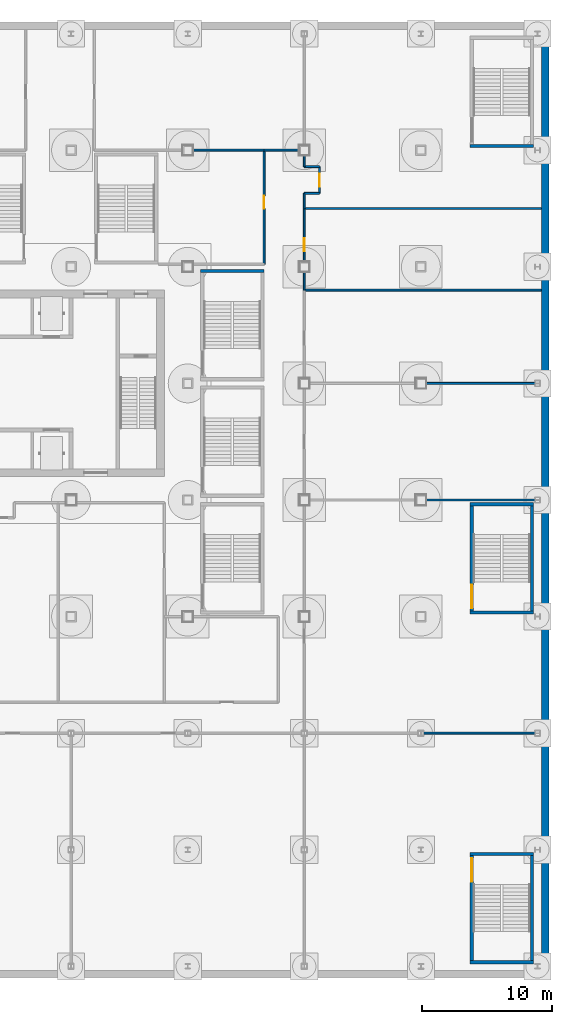
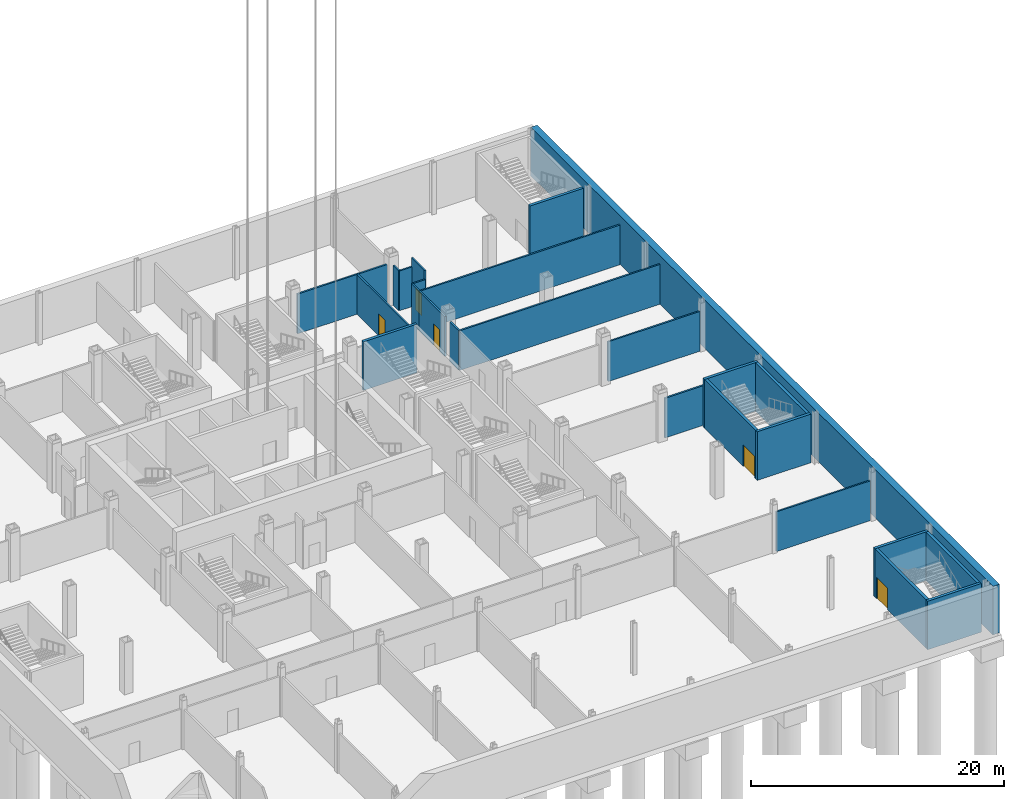
# One storey, part 11 of 28: 26 walls, 5 doors, 5 openings.
"""IFC4 building model written with IfcOpenShell, lengths in metres."""

from ifc_helpers import new_model, si_unit, direction, frame, frame_2d, origin, place, context, subcontext, project, spatial, rectangle, extrude, material, layer, layer_set, type_object, element, fill, save


model = new_model("IFC4")

# Units and contexts
model_context = context("Model", 3, precision=1e-05, world=origin(), true_north=direction((0.0, 1.0)))
body_context = subcontext(model_context, "Body", "Model", "MODEL_VIEW")
ifc_project = project(units=[si_unit("LENGTHUNIT", "METRE"), si_unit("AREAUNIT", "SQUARE_METRE"), si_unit("VOLUMEUNIT", "CUBIC_METRE"), si_unit("PLANEANGLEUNIT", "RADIAN"), si_unit("MASSUNIT", "GRAM", prefix="KILO")], contexts=[model_context])

# Site, building, storey
site_placement = place(None, origin())
site = spatial("IfcSite", under=ifc_project, at=site_placement, CompositionType="ELEMENT")
building_placement = place(site_placement, origin())
building = spatial("IfcBuilding", under=site, at=building_placement, Name="Loomwork Tower", CompositionType="ELEMENT")
storey_placement = place(building_placement, frame((0.0, 0.0, -10.5)))
storey = spatial("IfcBuildingStorey", under=building, at=storey_placement, Name="B2", CompositionType="ELEMENT", Elevation=-10.5)

# Walls
ifc_material_1 = material(Name="Concrete 6000 psi (41 MPa)", Category="concrete")
ifc_layer_1 = layer(ifc_material_1, 0.60009765625)
ifc_layer_set_1 = layer_set([ifc_layer_1], Name="Basement retaining wall 600")
wall_type_1 = type_object("IfcWallType", Name="Basement retaining wall 600", PredefinedType="SOLIDWALL", material=ifc_layer_set_1)
wall_1_placement = place(storey_placement, frame((63.60009765625, -27.60009765625, 0.0), z_axis=(0.0, 0.0, 1.0), x_axis=(0.0, 1.0, 0.0)))
element("IfcWall", 1, at=wall_1_placement, inside=storey, type_object=wall_type_1, Name="Basement retaining wall E", PredefinedType="SOLIDWALL", context=body_context, shape_type="SweptSolid", body=[
    extrude(rectangle(XDim=73.2001953125, YDim=0.60009765625, at=frame_2d((36.60009765625, 0.0))), origin(), (0.0, 0.0, 1.0), 4.699951171875),
])
ifc_material_2 = material(Name="Gypsum board on steel studs, one-hour", Category="steel")
ifc_layer_2 = layer(ifc_material_2, 0.14990234375)
ifc_layer_set_2 = layer_set([ifc_layer_2], Name="Partition 150")
wall_type_2 = type_object("IfcWallType", Name="Partition 150", PredefinedType="PARTITIONING", material=ifc_layer_set_2)
wall_2_placement = place(storey_placement, frame((41.89990234375, 36.0, 0.0), z_axis=(0.0, 0.0, 1.0), x_axis=(-1.0, 0.0, 0.0)))
element("IfcWall", 2, at=wall_2_placement, inside=storey, type_object=wall_type_2, Name="Partition B2 34.1", PredefinedType="PARTITIONING", context=body_context, shape_type="SweptSolid", body=[
    extrude(rectangle(XDim=5.5, YDim=0.14990234375, at=frame_2d((2.75, 0.0))), origin(), (0.0, 0.0, 1.0), 3.841552734375),
])

# Wall, opening, door
wall_3_placement = place(storey_placement, frame((41.89990234375, 36.0, 0.0), z_axis=(0.0, 0.0, 1.0), x_axis=(0.0, -1.0, 0.0)))
wall_3 = element("IfcWall", 3, at=wall_3_placement, inside=storey, type_object=wall_type_2, Name="Partition B2 41.1", PredefinedType="PARTITIONING", context=body_context, shape_type="SweptSolid", body=[
    extrude(rectangle(XDim=8.800048828125, YDim=0.14990234375, at=frame_2d((4.39990234375, 0.0))), origin(), (0.0, 0.0, 1.0), 3.841064453125),
])
opening_1_placement = place(wall_3_placement, frame((3.5, 0.0, 0.0)))
opening_1 = element("IfcOpeningElement", 4, at=opening_1_placement, cuts=wall_3, Name="Opening D7", PredefinedType="OPENING", context=body_context, shape_type="SweptSolid", body=[
    extrude(rectangle(XDim=1.0, YDim=2.10009765625, at=frame_2d((0.5, 1.050048828125))), frame((0.0, 0.0849609375, 0.0), z_axis=(0.0, -1.0, 0.0), x_axis=(1.0, 0.0, 0.0)), (0.0, 0.0, 1.0), 0.169921875),
])
ifc_material_3 = material(Name="Hollow metal door and frame")
door_type_1 = type_object("IfcDoorType", Name="Room door 1000", OperationType="SINGLE_SWING_LEFT", PredefinedType="DOOR", material=ifc_material_3)
door_1_placement = place(opening_1_placement, frame((1.0, 0.0, 0.0), z_axis=(0.0, 0.0, 1.0), x_axis=(-1.0, 0.0, 0.0)))
door_1 = element("IfcDoor", 5, at=door_1_placement, inside=storey, type_object=door_type_1, Name="Uniform room door", OperationType="SINGLE_SWING_LEFT", OverallHeight=2.10009765625, OverallWidth=1.0, PredefinedType="DOOR", context=body_context, shape_type="SweptSolid", body=[
    extrude(rectangle(XDim=1.0, YDim=2.10009765625, at=frame_2d((0.5, 1.050048828125))), frame((0.0, 0.02490234375, 0.0), z_axis=(0.0, -1.0, 0.0), x_axis=(1.0, 0.0, 0.0)), (0.0, 0.0, 1.0), 0.050048828125),
])
fill(opening_1, door_1)

# Walls
wall_4_placement = place(storey_placement, frame((44.60009765625, 36.0, 0.0), z_axis=(0.0, 0.0, 1.0), x_axis=(-1.0, 0.0, 0.0)))
element("IfcWall", 6, at=wall_4_placement, inside=storey, type_object=wall_type_2, Name="Partition B2 42.1", PredefinedType="PARTITIONING", context=body_context, shape_type="SweptSolid", body=[
    extrude(rectangle(XDim=2.7001953125, YDim=0.14990234375, at=frame_2d((1.35009765625, 0.0))), origin(), (0.0, 0.0, 1.0), 3.841552734375),
])
wall_5_placement = place(storey_placement, frame((54.20068359375, -9.0, 0.0), z_axis=(0.0, 0.0, 1.0), x_axis=(1.0, 0.0, 0.0)))
element("IfcWall", 7, at=wall_5_placement, inside=storey, type_object=wall_type_2, Name="Partition B2 45.2", PredefinedType="PARTITIONING", context=body_context, shape_type="SweptSolid", body=[
    extrude(rectangle(XDim=8.599853515625, YDim=0.14990234375, at=frame_2d((4.2998046875, 0.0))), origin(), (0.0, 0.0, 1.0), 3.841552734375),
])
for number, where, z_axis, x_axis, name in (
    (8, (54.39990234375, 9.0, 0.0), (0.0, 0.0, 1.0), (1.0, 0.0, 0.0), "Partition B2 47.2"),
    (9, (54.39990234375, 18.0, 0.0), (0.0, 0.0, 1.0), (1.0, 0.0, 0.0), "Partition B2 49.2"),
):
    element("IfcWall", number, at=place(storey_placement, frame(where, z_axis=z_axis, x_axis=x_axis)), inside=storey, type_object=wall_type_2, Name=name, PredefinedType="PARTITIONING", context=body_context, shape_type="SweptSolid", body=[
        extrude(rectangle(XDim=8.400634765625, YDim=0.14990234375, at=frame_2d((4.2001953125, 0.0))), origin(), (0.0, 0.0, 1.0), 3.841552734375),
    ])
wall_6_placement = place(storey_placement, frame((63.300048828125, 25.199951171875, 0.0), z_axis=(0.0, 0.0, 1.0), x_axis=(-1.0, 0.0, 0.0)))
element("IfcWall", 10, at=wall_6_placement, inside=storey, type_object=wall_type_2, Name="Partition B2 51.1", PredefinedType="PARTITIONING", context=body_context, shape_type="SweptSolid", body=[
    extrude(rectangle(XDim=18.300048828125, YDim=0.14990234375, at=frame_2d((9.14990234375, 0.0))), origin(), (0.0, 0.0, 1.0), 3.841064453125),
])
wall_7_placement = place(storey_placement, frame((45.0, 25.199951171875, 0.0), z_axis=(0.0, 0.0, 1.0), x_axis=(0.0, 1.0, 0.0)))
element("IfcWall", 11, at=wall_7_placement, inside=storey, type_object=wall_type_2, Name="Partition B2 52.1", PredefinedType="PARTITIONING", context=body_context, shape_type="SweptSolid", body=[
    extrude(rectangle(XDim=1.400146484375, YDim=0.14990234375, at=frame_2d((0.7001953125, 0.0))), origin(), (0.0, 0.0, 1.0), 3.841552734375),
])

# Wall, opening, door
wall_8_placement = place(storey_placement, frame((45.0, 27.39990234375, 0.0), z_axis=(0.0, 0.0, 1.0), x_axis=(0.0, 1.0, 0.0)))
wall_8 = element("IfcWall", 12, at=wall_8_placement, inside=storey, type_object=wall_type_2, Name="Partition B2 52.2", PredefinedType="PARTITIONING", context=body_context, shape_type="SweptSolid", body=[
    extrude(rectangle(XDim=4.10009765625, YDim=0.14990234375, at=frame_2d((2.050048828125, 0.0))), origin(), (0.0, 0.0, 1.0), 3.841552734375),
])
opening_2_placement = place(wall_8_placement, frame((0.800048828125, 0.0, 0.0)))
opening_2 = element("IfcOpeningElement", 13, at=opening_2_placement, cuts=wall_8, Name="Opening D15", PredefinedType="OPENING", context=body_context, shape_type="SweptSolid", body=[
    extrude(rectangle(XDim=1.0, YDim=2.10009765625, at=frame_2d((0.5, 1.050048828125))), frame((0.0, 0.0849609375, 0.0), z_axis=(0.0, -1.0, 0.0), x_axis=(1.0, 0.0, 0.0)), (0.0, 0.0, 1.0), 0.169921875),
])
ifc_material_4 = material(Name="Hollow metal door and frame")
door_type_2 = type_object("IfcDoorType", Name="Fire-rated room door 1000", OperationType="SINGLE_SWING_LEFT", PredefinedType="DOOR", material=ifc_material_4)
door_2_placement = place(opening_2_placement, frame((1.0, 0.0, 0.0), z_axis=(0.0, 0.0, 1.0), x_axis=(-1.0, 0.0, 0.0)))
door_2 = element("IfcDoor", 14, at=door_2_placement, inside=storey, type_object=door_type_2, Name="Refuse and recycling room door", OperationType="SINGLE_SWING_LEFT", OverallHeight=2.10009765625, OverallWidth=1.0, PredefinedType="DOOR", context=body_context, shape_type="SweptSolid", body=[
    extrude(rectangle(XDim=1.0, YDim=2.10009765625, at=frame_2d((0.5, 1.050048828125))), frame((0.0, 0.02490234375, 0.0), z_axis=(0.0, -1.0, 0.0), x_axis=(1.0, 0.0, 0.0)), (0.0, 0.0, 1.0), 0.050048828125),
])
fill(opening_2, door_2)

# Walls
wall_9_placement = place(storey_placement, frame((45.0, 31.5, 0.0), z_axis=(0.0, 0.0, 1.0), x_axis=(1.0, 0.0, 0.0)))
element("IfcWall", 15, at=wall_9_placement, inside=storey, type_object=wall_type_2, Name="Partition B2 53.1", PredefinedType="PARTITIONING", context=body_context, shape_type="SweptSolid", body=[
    extrude(rectangle(XDim=18.300048828125, YDim=0.14990234375, at=frame_2d((9.14990234375, 0.0))), origin(), (0.0, 0.0, 1.0), 3.841064453125),
])
wall_10_placement = place(storey_placement, frame((45.0, 31.5, 0.0), z_axis=(0.0, 0.0, 1.0), x_axis=(0.0, 1.0, 0.0)))
element("IfcWall", 16, at=wall_10_placement, inside=storey, type_object=wall_type_2, Name="Partition B2 54.1", PredefinedType="PARTITIONING", context=body_context, shape_type="SweptSolid", body=[
    extrude(rectangle(XDim=1.175048828125, YDim=0.14990234375, at=frame_2d((0.58740234375, 0.0))), origin(), (0.0, 0.0, 1.0), 3.841552734375),
])
wall_11_placement = place(storey_placement, frame((45.0, 34.72509765625, 0.0), z_axis=(0.0, 0.0, 1.0), x_axis=(0.0, 1.0, 0.0)))
element("IfcWall", 17, at=wall_11_placement, inside=storey, type_object=wall_type_2, Name="Partition B2 54.1", PredefinedType="PARTITIONING", context=body_context, shape_type="SweptSolid", body=[
    extrude(rectangle(XDim=0.875, YDim=0.14990234375, at=frame_2d((0.4375, 0.0))), origin(), (0.0, 0.0, 1.0), 3.841552734375),
])
for number, where, z_axis, x_axis, name in (
    (18, (45.0, 32.675048828125, 0.0), (0.0, 0.0, 1.0), (1.0, 0.0, 0.0), "Staff training room alcove wall"),
    (19, (45.0, 34.72509765625, 0.0), (0.0, 0.0, 1.0), (1.0, 0.0, 0.0), "Staff training room alcove wall"),
):
    element("IfcWall", number, at=place(storey_placement, frame(where, z_axis=z_axis, x_axis=x_axis)), inside=storey, type_object=wall_type_2, Name=name, PredefinedType="PARTITIONING", context=body_context, shape_type="SweptSolid", body=[
        extrude(rectangle(XDim=1.175048828125, YDim=0.14990234375, at=frame_2d((0.58740234375, 0.0))), origin(), (0.0, 0.0, 1.0), 3.841064453125),
    ])

# Wall, opening, door
wall_12_placement = place(storey_placement, frame((46.175048828125, 32.675048828125, 0.0), z_axis=(0.0, 0.0, 1.0), x_axis=(0.0, 1.0, 0.0)))
wall_12 = element("IfcWall", 20, at=wall_12_placement, inside=storey, type_object=wall_type_2, Name="Staff training room alcove wall", PredefinedType="PARTITIONING", context=body_context, shape_type="SweptSolid", body=[
    extrude(rectangle(XDim=2.050048828125, YDim=0.14990234375, at=frame_2d((1.02490234375, 0.0))), origin(), (0.0, 0.0, 1.0), 4.699951171875),
])
opening_3_placement = place(wall_12_placement, frame((0.5, 0.0, 0.0)))
opening_3 = element("IfcOpeningElement", 21, at=opening_3_placement, cuts=wall_12, Name="Opening D7", PredefinedType="OPENING", context=body_context, shape_type="SweptSolid", body=[
    extrude(rectangle(XDim=1.0, YDim=2.10009765625, at=frame_2d((0.5, 1.050048828125))), frame((0.0, 0.0849609375, 0.0), z_axis=(0.0, -1.0, 0.0), x_axis=(1.0, 0.0, 0.0)), (0.0, 0.0, 1.0), 0.169921875),
])
door_3_placement = place(opening_3_placement, origin())
door_3 = element("IfcDoor", 22, at=door_3_placement, inside=storey, type_object=door_type_1, Name="Staff training room door", OperationType="SINGLE_SWING_LEFT", OverallHeight=2.10009765625, OverallWidth=1.0, PredefinedType="DOOR", context=body_context, shape_type="SweptSolid", body=[
    extrude(rectangle(XDim=1.0, YDim=2.10009765625, at=frame_2d((0.5, 1.050048828125))), frame((0.0, 0.02490234375, 0.0), z_axis=(0.0, -1.0, 0.0), x_axis=(1.0, 0.0, 0.0)), (0.0, 0.0, 1.0), 0.050048828125),
])
fill(opening_3, door_3)

# Walls
ifc_material_5 = material(Name="Concrete masonry, two-hour", Category="masonry")
ifc_layer_3 = layer(ifc_material_5, 0.25)
ifc_layer_set_3 = layer_set([ifc_layer_3], Name="Stair enclosure wall 250")
wall_type_3 = type_object("IfcWallType", Name="Stair enclosure wall 250", PredefinedType="SOLIDWALL", material=ifc_layer_set_3)
for number, where, z_axis, x_axis, name in (
    (23, (57.800048828125, -26.675048828125, 0.0), (0.0, 0.0, 1.0), (1.0, 0.0, 0.0), "Stair PS2 enclosure wall S B2"),
    (24, (57.800048828125, -18.324951171875, 0.0), (0.0, 0.0, 1.0), (1.0, 0.0, 0.0), "Stair PS2 enclosure wall N B2"),
):
    element("IfcWall", number, at=place(storey_placement, frame(where, z_axis=z_axis, x_axis=x_axis)), inside=storey, type_object=wall_type_3, Name=name, PredefinedType="SOLIDWALL", context=body_context, shape_type="SweptSolid", body=[
        extrude(rectangle(XDim=4.89990234375, YDim=0.25, at=frame_2d((2.449951171875, 0.0))), origin(), (0.0, 0.0, 1.0), 4.699951171875),
    ])

# Wall, opening, door
wall_13_placement = place(storey_placement, frame((57.925048828125, -26.550048828125, 0.0), z_axis=(0.0, 0.0, 1.0), x_axis=(0.0, 1.0, 0.0)))
wall_13 = element("IfcWall", 25, at=wall_13_placement, inside=storey, type_object=wall_type_3, Name="Stair PS2 enclosure wall W B2", PredefinedType="SOLIDWALL", context=body_context, shape_type="SweptSolid", body=[
    extrude(rectangle(XDim=8.10009765625, YDim=0.25, at=frame_2d((4.050048828125, 0.0))), origin(), (0.0, 0.0, 1.0), 4.699951171875),
])
opening_4_placement = place(wall_13_placement, frame((6.10009765625, 0.0, 0.0)))
opening_4 = element("IfcOpeningElement", 26, at=opening_4_placement, cuts=wall_13, Name="Opening D14", PredefinedType="OPENING", context=body_context, shape_type="SweptSolid", body=[
    extrude(rectangle(XDim=1.800048828125, YDim=2.10009765625, at=frame_2d((0.89990234375, 1.050048828125))), frame((0.0, 0.135009765625, 0.0), z_axis=(0.0, -1.0, 0.0), x_axis=(1.0, 0.0, 0.0)), (0.0, 0.0, 1.0), 0.27001953125),
])
ifc_material_6 = material(Name="Hollow metal door and frame")
door_type_3 = type_object("IfcDoorType", Name="Stair double door 1800", OperationType="DOUBLE_DOOR_SINGLE_SWING", PredefinedType="DOOR", material=ifc_material_6)
door_4_placement = place(opening_4_placement, frame((1.800048828125, 0.0, 0.0), z_axis=(0.0, 0.0, 1.0), x_axis=(-1.0, 0.0, 0.0)))
door_4 = element("IfcDoor", 27, at=door_4_placement, inside=storey, type_object=door_type_3, Name="Stair PS2 door B2", OperationType="DOUBLE_DOOR_SINGLE_SWING", OverallHeight=2.10009765625, OverallWidth=1.800048828125, PredefinedType="DOOR", context=body_context, shape_type="SweptSolid", body=[
    extrude(rectangle(XDim=1.800048828125, YDim=2.10009765625, at=frame_2d((0.89990234375, 1.050048828125))), frame((0.0, 0.02490234375, 0.0), z_axis=(0.0, -1.0, 0.0), x_axis=(1.0, 0.0, 0.0)), (0.0, 0.0, 1.0), 0.050048828125),
])
fill(opening_4, door_4)

# Walls
wall_14_placement = place(storey_placement, frame((62.574951171875, -26.550048828125, 0.0), z_axis=(0.0, 0.0, 1.0), x_axis=(0.0, 1.0, 0.0)))
element("IfcWall", 28, at=wall_14_placement, inside=storey, type_object=wall_type_3, Name="Stair PS2 enclosure wall E B2", PredefinedType="SOLIDWALL", context=body_context, shape_type="SweptSolid", body=[
    extrude(rectangle(XDim=8.10009765625, YDim=0.25, at=frame_2d((4.050048828125, 0.0))), origin(), (0.0, 0.0, 1.0), 4.699951171875),
])
for number, where, z_axis, x_axis, name in (
    (29, (57.800048828125, 36.324951171875, 0.0), (0.0, 0.0, 1.0), (1.0, 0.0, 0.0), "Stair PS4 enclosure wall S B2"),
    (30, (57.800048828125, 0.324951171875, 0.0), (0.0, 0.0, 1.0), (1.0, 0.0, 0.0), "Stair PS6 enclosure wall S B2"),
    (31, (57.800048828125, 8.675048828125, 0.0), (0.0, 0.0, 1.0), (1.0, 0.0, 0.0), "Stair PS6 enclosure wall N B2"),
):
    element("IfcWall", number, at=place(storey_placement, frame(where, z_axis=z_axis, x_axis=x_axis)), inside=storey, type_object=wall_type_3, Name=name, PredefinedType="SOLIDWALL", context=body_context, shape_type="SweptSolid", body=[
        extrude(rectangle(XDim=4.89990234375, YDim=0.25, at=frame_2d((2.449951171875, 0.0))), origin(), (0.0, 0.0, 1.0), 4.699951171875),
    ])

# Wall, opening, door
wall_15_placement = place(storey_placement, frame((57.925048828125, 0.449951171875, 0.0), z_axis=(0.0, 0.0, 1.0), x_axis=(0.0, 1.0, 0.0)))
wall_15 = element("IfcWall", 32, at=wall_15_placement, inside=storey, type_object=wall_type_3, Name="Stair PS6 enclosure wall W B2", PredefinedType="SOLIDWALL", context=body_context, shape_type="SweptSolid", body=[
    extrude(rectangle(XDim=8.10009765625, YDim=0.25, at=frame_2d((4.050048828125, 0.0))), origin(), (0.0, 0.0, 1.0), 4.699951171875),
])
opening_5_placement = place(wall_15_placement, frame((0.199951171875, 0.0, 0.0)))
opening_5 = element("IfcOpeningElement", 33, at=opening_5_placement, cuts=wall_15, Name="Opening D14", PredefinedType="OPENING", context=body_context, shape_type="SweptSolid", body=[
    extrude(rectangle(XDim=1.800048828125, YDim=2.10009765625, at=frame_2d((0.89990234375, 1.050048828125))), frame((0.0, 0.135009765625, 0.0), z_axis=(0.0, -1.0, 0.0), x_axis=(1.0, 0.0, 0.0)), (0.0, 0.0, 1.0), 0.27001953125),
])
door_5_placement = place(opening_5_placement, frame((1.800048828125, 0.0, 0.0), z_axis=(0.0, 0.0, 1.0), x_axis=(-1.0, 0.0, 0.0)))
door_5 = element("IfcDoor", 34, at=door_5_placement, inside=storey, type_object=door_type_3, Name="Stair PS6 door B2", OperationType="DOUBLE_DOOR_SINGLE_SWING", OverallHeight=2.10009765625, OverallWidth=1.800048828125, PredefinedType="DOOR", context=body_context, shape_type="SweptSolid", body=[
    extrude(rectangle(XDim=1.800048828125, YDim=2.10009765625, at=frame_2d((0.89990234375, 1.050048828125))), frame((0.0, 0.02490234375, 0.0), z_axis=(0.0, -1.0, 0.0), x_axis=(1.0, 0.0, 0.0)), (0.0, 0.0, 1.0), 0.050048828125),
])
fill(opening_5, door_5)

# Walls
wall_16_placement = place(storey_placement, frame((62.574951171875, 0.449951171875, 0.0), z_axis=(0.0, 0.0, 1.0), x_axis=(0.0, 1.0, 0.0)))
element("IfcWall", 35, at=wall_16_placement, inside=storey, type_object=wall_type_3, Name="Stair PS6 enclosure wall E B2", PredefinedType="SOLIDWALL", context=body_context, shape_type="SweptSolid", body=[
    extrude(rectangle(XDim=8.10009765625, YDim=0.25, at=frame_2d((4.050048828125, 0.0))), origin(), (0.0, 0.0, 1.0), 4.699951171875),
])
wall_17_placement = place(storey_placement, frame((37.0, 26.675048828125, 0.0), z_axis=(0.0, 0.0, 1.0), x_axis=(1.0, 0.0, 0.0)))
element("IfcWall", 36, at=wall_17_placement, inside=storey, type_object=wall_type_3, Name="Stair PS9 enclosure wall N B2", PredefinedType="SOLIDWALL", context=body_context, shape_type="SweptSolid", body=[
    extrude(rectangle(XDim=4.89990234375, YDim=0.25, at=frame_2d((2.449951171875, 0.0))), origin(), (0.0, 0.0, 1.0), 4.699951171875),
])

save(model, "model.ifc")
